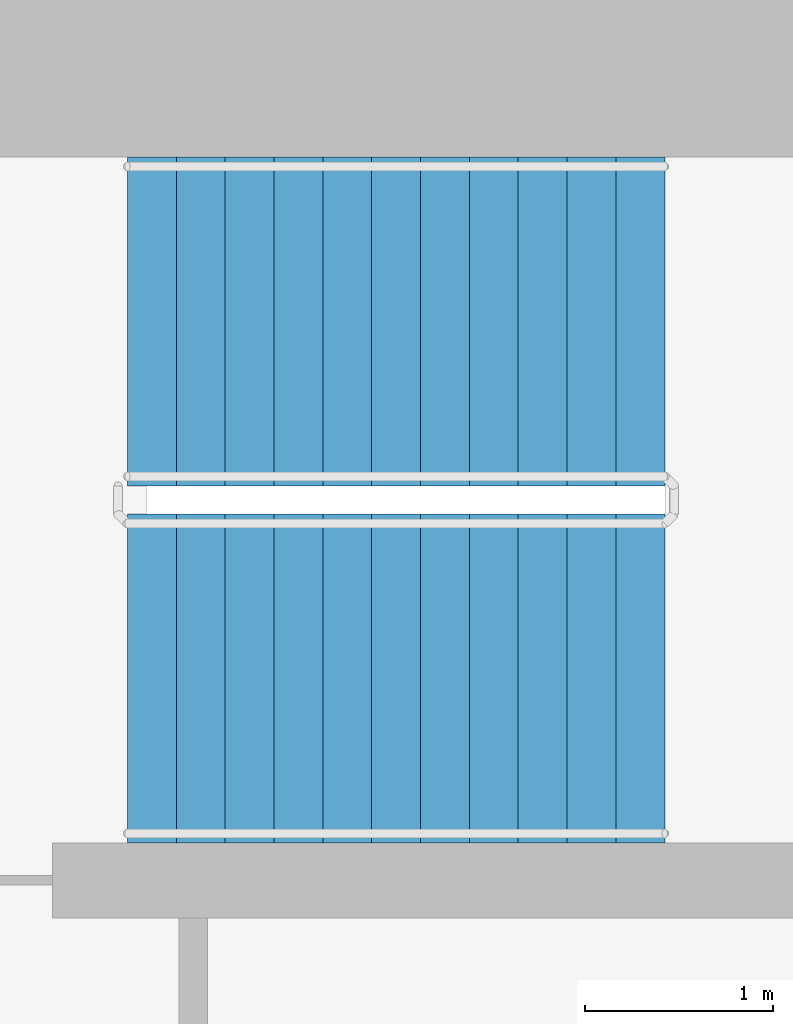
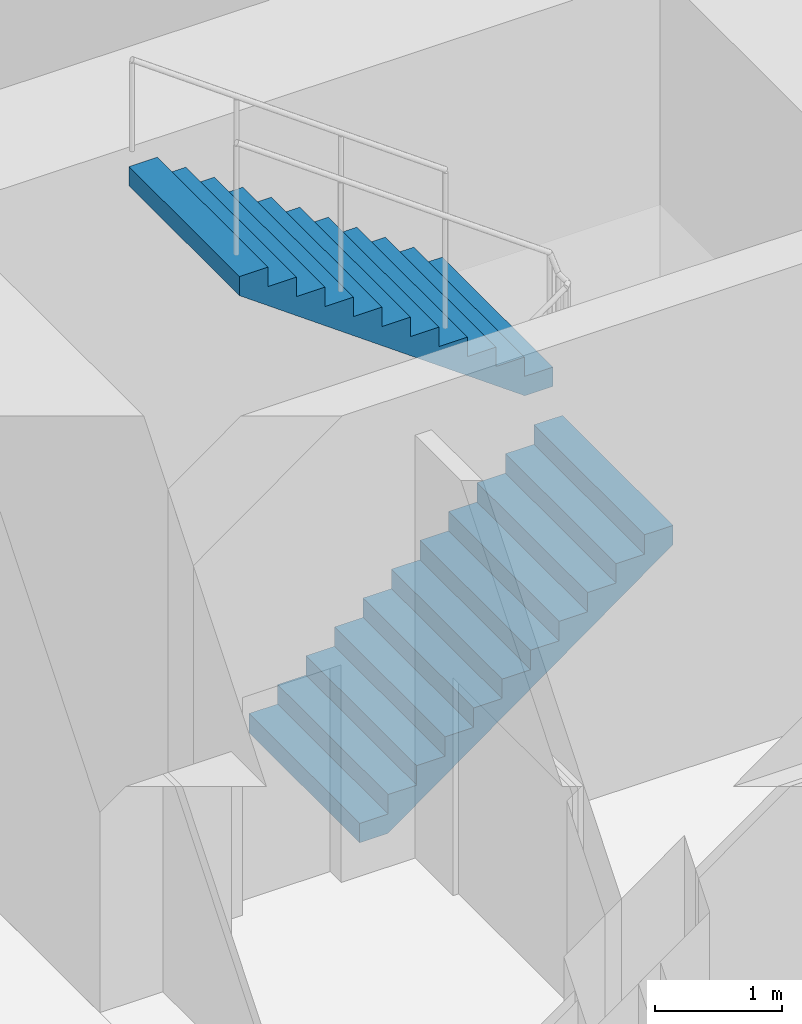
# One storey, part 32 of 49: 2 stair flights, 1 element without a shape of its own.
"""IFC4 building model written with IfcOpenShell, lengths in metres."""

from ifc_helpers import new_model, si_unit, direction, frame, origin, place, context, subcontext, project, spatial, faceted_brep, material, type_object, element, aggregate, save


model = new_model("IFC4")

# Units and contexts
model_context = context("Model", 3, precision=1e-05, world=origin(), true_north=direction((0.0, 1.0)))
body_context = subcontext(model_context, "Body", "Model", "MODEL_VIEW")
ifc_project = project(units=[si_unit("LENGTHUNIT", "METRE"), si_unit("AREAUNIT", "SQUARE_METRE"), si_unit("VOLUMEUNIT", "CUBIC_METRE"), si_unit("PLANEANGLEUNIT", "RADIAN"), si_unit("MASSUNIT", "GRAM", prefix="KILO")], contexts=[model_context])

# Site, building, storey
site_placement = place(None, origin())
site = spatial("IfcSite", under=ifc_project, at=site_placement, CompositionType="ELEMENT")
building_placement = place(site_placement, origin())
building = spatial("IfcBuilding", under=site, at=building_placement, Name="Ipe Terrace Towers", CompositionType="ELEMENT")
storey_placement = place(building_placement, frame((0.0, 0.0, 11.0)))
storey = spatial("IfcBuildingStorey", under=building, at=storey_placement, Name="L02", CompositionType="ELEMENT", Elevation=11.0)

# Stair, stair flights
ifc_material_1 = material(Name="Concrete C30/37", Category="concrete")
stair_type = type_object("IfcStairType", Name="Protected exit stair", PredefinedType="HALF_TURN_STAIR", material=ifc_material_1)
stair_placement = place(storey_placement, origin())
stair = element("IfcStair", 1, at=stair_placement, inside=storey, type_object=stair_type, Name="L02 Exit stair T1-C1", PredefinedType="HALF_TURN_STAIR")
ifc_material_2 = material(Name="Concrete C30/37", Category="concrete")
stair_flight_type = type_object("IfcStairFlightType", Name="Exit stair flight 1750", PredefinedType="STRAIGHT", material=ifc_material_2)
stair_flight_1_placement = place(storey_placement, frame((-26.300048828125, 2.77490234375, 0.0), z_axis=(0.0, 0.0, 1.0), x_axis=(1.0, 0.0, 0.0)))
stair_flight_1 = element("IfcStairFlight", 2, at=stair_flight_1_placement, type_object=stair_flight_type, Name="T1-ST1 flight 1", NumberOfRisers=12, NumberOfTreads=11, PredefinedType="STRAIGHT", RiserHeight=0.1875, TreadLength=0.26, context=body_context, shape_type="Brep", body=[
    faceted_brep([(0.25634765625, -0.875, 0.0), (2.860107421875, -0.875, 1.877685546875), (2.860107421875, -0.875, 2.0625), (2.60009765625, -0.875, 2.0625), (2.60009765625, -0.875, 1.875), (2.340087890625, -0.875, 1.875), (2.340087890625, -0.875, 1.6875), (2.080078125, -0.875, 1.6875), (2.080078125, -0.875, 1.5), (1.820068359375, -0.875, 1.5), (1.820068359375, -0.875, 1.3125), (1.56005859375, -0.875, 1.3125), (1.56005859375, -0.875, 1.125), (1.300048828125, -0.875, 1.125), (1.300048828125, -0.875, 0.9375), (1.0400390625, -0.875, 0.9375), (1.0400390625, -0.875, 0.75), (0.780029296875, -0.875, 0.75), (0.780029296875, -0.875, 0.5625), (0.52001953125, -0.875, 0.5625), (0.52001953125, -0.875, 0.375), (0.260009765625, -0.875, 0.375), (0.260009765625, -0.875, 0.1875), (0.0, -0.875, 0.1875), (0.0, -0.875, 0.0), (0.0, 0.875, 0.0), (0.0, 0.875, 0.1875), (0.260009765625, 0.875, 0.1875), (0.260009765625, 0.875, 0.375), (0.52001953125, 0.875, 0.375), (0.52001953125, 0.875, 0.5625), (0.780029296875, 0.875, 0.5625), (0.780029296875, 0.875, 0.75), (1.0400390625, 0.875, 0.75), (1.0400390625, 0.875, 0.9375), (1.300048828125, 0.875, 0.9375), (1.300048828125, 0.875, 1.125), (1.56005859375, 0.875, 1.125), (1.56005859375, 0.875, 1.3125), (1.820068359375, 0.875, 1.3125), (1.820068359375, 0.875, 1.5), (2.080078125, 0.875, 1.5), (2.080078125, 0.875, 1.6875), (2.340087890625, 0.875, 1.6875), (2.340087890625, 0.875, 1.875), (2.60009765625, 0.875, 1.875), (2.60009765625, 0.875, 2.0625), (2.860107421875, 0.875, 2.0625), (2.860107421875, 0.875, 1.877685546875), (0.25634765625, 0.875, 0.0), (0.0, -0.300048828125, 0.1875), (0.0, -0.1201171875, 0.1875), (0.0, -0.06005859375, 0.1875), (0.0, -0.030029296875, 0.1875), (0.0, -0.010009765625, 0.1875), (0.0, 0.0, 0.1875), (0.0, 0.010009765625, 0.1875), (0.0, 0.030029296875, 0.1875), (0.0, 0.06005859375, 0.1875), (0.0, 0.1201171875, 0.1875), (0.0, 0.300048828125, 0.1875), (0.0, 0.300048828125, 0.0), (0.0, 0.1201171875, 0.0), (0.0, 0.06005859375, 0.0), (0.0, 0.030029296875, 0.0), (0.0, 0.010009765625, 0.0), (0.0, 0.0, 0.0), (0.0, -0.010009765625, 0.0), (0.0, -0.030029296875, 0.0), (0.0, -0.06005859375, 0.0), (0.0, -0.1201171875, 0.0), (0.0, -0.300048828125, 0.0), (0.260009765625, -0.300048828125, 0.1875), (0.260009765625, -0.1201171875, 0.1875), (0.260009765625, -0.06005859375, 0.1875), (0.260009765625, -0.030029296875, 0.1875), (0.260009765625, -0.010009765625, 0.1875), (0.260009765625, 0.0, 0.1875), (0.260009765625, 0.010009765625, 0.1875), (0.260009765625, 0.030029296875, 0.1875), (0.260009765625, 0.06005859375, 0.1875), (0.260009765625, 0.1201171875, 0.1875), (0.260009765625, 0.300048828125, 0.1875), (0.260009765625, -0.300048828125, 0.375), (0.260009765625, -0.1201171875, 0.375), (0.260009765625, -0.06005859375, 0.375), (0.260009765625, -0.030029296875, 0.375), (0.260009765625, -0.010009765625, 0.375), (0.260009765625, 0.0, 0.375), (0.260009765625, 0.010009765625, 0.375), (0.260009765625, 0.030029296875, 0.375), (0.260009765625, 0.06005859375, 0.375), (0.260009765625, 0.1201171875, 0.375), (0.260009765625, 0.300048828125, 0.375), (0.52001953125, -0.300048828125, 0.375), (0.52001953125, -0.1201171875, 0.375), (0.52001953125, -0.06005859375, 0.375), (0.52001953125, -0.030029296875, 0.375), (0.52001953125, -0.010009765625, 0.375), (0.52001953125, 0.0, 0.375), (0.52001953125, 0.010009765625, 0.375), (0.52001953125, 0.030029296875, 0.375), (0.52001953125, 0.06005859375, 0.375), (0.52001953125, 0.1201171875, 0.375), (0.52001953125, 0.300048828125, 0.375), (0.52001953125, -0.300048828125, 0.5625), (0.52001953125, -0.1201171875, 0.5625), (0.52001953125, -0.06005859375, 0.5625), (0.52001953125, -0.030029296875, 0.5625), (0.52001953125, -0.010009765625, 0.5625), (0.52001953125, 0.0, 0.5625), (0.52001953125, 0.010009765625, 0.5625), (0.52001953125, 0.030029296875, 0.5625), (0.52001953125, 0.06005859375, 0.5625), (0.52001953125, 0.1201171875, 0.5625), (0.52001953125, 0.300048828125, 0.5625), (0.780029296875, -0.300048828125, 0.5625), (0.780029296875, -0.1201171875, 0.5625), (0.780029296875, -0.06005859375, 0.5625), (0.780029296875, -0.030029296875, 0.5625), (0.780029296875, -0.010009765625, 0.5625), (0.780029296875, 0.0, 0.5625), (0.780029296875, 0.010009765625, 0.5625), (0.780029296875, 0.030029296875, 0.5625), (0.780029296875, 0.06005859375, 0.5625), (0.780029296875, 0.1201171875, 0.5625), (0.780029296875, 0.300048828125, 0.5625), (0.780029296875, -0.300048828125, 0.75), (0.780029296875, -0.1201171875, 0.75), (0.780029296875, -0.06005859375, 0.75), (0.780029296875, -0.030029296875, 0.75), (0.780029296875, -0.010009765625, 0.75), (0.780029296875, 0.0, 0.75), (0.780029296875, 0.010009765625, 0.75), (0.780029296875, 0.030029296875, 0.75), (0.780029296875, 0.06005859375, 0.75), (0.780029296875, 0.1201171875, 0.75), (0.780029296875, 0.300048828125, 0.75), (1.0400390625, -0.300048828125, 0.75), (1.0400390625, -0.1201171875, 0.75), (1.0400390625, -0.06005859375, 0.75), (1.0400390625, -0.030029296875, 0.75), (1.0400390625, -0.010009765625, 0.75), (1.0400390625, 0.0, 0.75), (1.0400390625, 0.010009765625, 0.75), (1.0400390625, 0.030029296875, 0.75), (1.0400390625, 0.06005859375, 0.75), (1.0400390625, 0.1201171875, 0.75), (1.0400390625, 0.300048828125, 0.75), (1.0400390625, -0.300048828125, 0.9375), (1.0400390625, -0.1201171875, 0.9375), (1.0400390625, -0.06005859375, 0.9375), (1.0400390625, -0.030029296875, 0.9375), (1.0400390625, -0.010009765625, 0.9375), (1.0400390625, 0.0, 0.9375), (1.0400390625, 0.010009765625, 0.9375), (1.0400390625, 0.030029296875, 0.9375), (1.0400390625, 0.06005859375, 0.9375), (1.0400390625, 0.1201171875, 0.9375), (1.0400390625, 0.300048828125, 0.9375), (1.300048828125, -0.300048828125, 0.9375), (1.300048828125, -0.1201171875, 0.9375), (1.300048828125, -0.06005859375, 0.9375), (1.300048828125, -0.030029296875, 0.9375), (1.300048828125, -0.010009765625, 0.9375), (1.300048828125, 0.0, 0.9375), (1.300048828125, 0.010009765625, 0.9375), (1.300048828125, 0.030029296875, 0.9375), (1.300048828125, 0.06005859375, 0.9375), (1.300048828125, 0.1201171875, 0.9375), (1.300048828125, 0.300048828125, 0.9375), (1.300048828125, -0.300048828125, 1.125), (1.300048828125, -0.1201171875, 1.125), (1.300048828125, -0.06005859375, 1.125), (1.300048828125, -0.030029296875, 1.125), (1.300048828125, -0.010009765625, 1.125), (1.300048828125, 0.0, 1.125), (1.300048828125, 0.010009765625, 1.125), (1.300048828125, 0.030029296875, 1.125), (1.300048828125, 0.06005859375, 1.125), (1.300048828125, 0.1201171875, 1.125), (1.300048828125, 0.300048828125, 1.125), (1.56005859375, -0.300048828125, 1.125), (1.56005859375, -0.1201171875, 1.125), (1.56005859375, -0.06005859375, 1.125), (1.56005859375, -0.030029296875, 1.125), (1.56005859375, -0.010009765625, 1.125), (1.56005859375, 0.0, 1.125), (1.56005859375, 0.010009765625, 1.125), (1.56005859375, 0.030029296875, 1.125), (1.56005859375, 0.06005859375, 1.125), (1.56005859375, 0.1201171875, 1.125), (1.56005859375, 0.300048828125, 1.125), (1.56005859375, -0.300048828125, 1.3125), (1.56005859375, -0.1201171875, 1.3125), (1.56005859375, -0.06005859375, 1.3125), (1.56005859375, -0.030029296875, 1.3125), (1.56005859375, -0.010009765625, 1.3125), (1.56005859375, 0.0, 1.3125), (1.56005859375, 0.010009765625, 1.3125), (1.56005859375, 0.030029296875, 1.3125), (1.56005859375, 0.06005859375, 1.3125), (1.56005859375, 0.1201171875, 1.3125), (1.56005859375, 0.300048828125, 1.3125), (1.820068359375, -0.300048828125, 1.3125), (1.820068359375, -0.1201171875, 1.3125), (1.820068359375, -0.06005859375, 1.3125), (1.820068359375, -0.030029296875, 1.3125), (1.820068359375, -0.010009765625, 1.3125), (1.820068359375, 0.0, 1.3125), (1.820068359375, 0.010009765625, 1.3125), (1.820068359375, 0.030029296875, 1.3125), (1.820068359375, 0.06005859375, 1.3125), (1.820068359375, 0.1201171875, 1.3125), (1.820068359375, 0.300048828125, 1.3125), (1.820068359375, -0.300048828125, 1.5), (1.820068359375, -0.1201171875, 1.5), (1.820068359375, -0.06005859375, 1.5), (1.820068359375, -0.030029296875, 1.5), (1.820068359375, -0.010009765625, 1.5), (1.820068359375, 0.0, 1.5), (1.820068359375, 0.010009765625, 1.5), (1.820068359375, 0.030029296875, 1.5), (1.820068359375, 0.06005859375, 1.5), (1.820068359375, 0.1201171875, 1.5), (1.820068359375, 0.300048828125, 1.5), (2.080078125, -0.300048828125, 1.5), (2.080078125, -0.1201171875, 1.5), (2.080078125, -0.06005859375, 1.5), (2.080078125, -0.030029296875, 1.5), (2.080078125, -0.010009765625, 1.5), (2.080078125, 0.0, 1.5), (2.080078125, 0.010009765625, 1.5), (2.080078125, 0.030029296875, 1.5), (2.080078125, 0.06005859375, 1.5), (2.080078125, 0.1201171875, 1.5), (2.080078125, 0.300048828125, 1.5), (2.080078125, -0.300048828125, 1.6875), (2.080078125, -0.1201171875, 1.6875), (2.080078125, -0.06005859375, 1.6875), (2.080078125, -0.030029296875, 1.6875), (2.080078125, -0.010009765625, 1.6875), (2.080078125, 0.0, 1.6875), (2.080078125, 0.010009765625, 1.6875), (2.080078125, 0.030029296875, 1.6875), (2.080078125, 0.06005859375, 1.6875), (2.080078125, 0.1201171875, 1.6875), (2.080078125, 0.300048828125, 1.6875), (2.340087890625, -0.300048828125, 1.6875), (2.340087890625, -0.1201171875, 1.6875), (2.340087890625, -0.06005859375, 1.6875), (2.340087890625, -0.030029296875, 1.6875), (2.340087890625, -0.010009765625, 1.6875), (2.340087890625, 0.0, 1.6875), (2.340087890625, 0.010009765625, 1.6875), (2.340087890625, 0.030029296875, 1.6875), (2.340087890625, 0.06005859375, 1.6875), (2.340087890625, 0.1201171875, 1.6875), (2.340087890625, 0.300048828125, 1.6875), (2.340087890625, -0.300048828125, 1.875), (2.340087890625, -0.1201171875, 1.875), (2.340087890625, -0.06005859375, 1.875), (2.340087890625, -0.030029296875, 1.875), (2.340087890625, -0.010009765625, 1.875), (2.340087890625, 0.0, 1.875), (2.340087890625, 0.010009765625, 1.875), (2.340087890625, 0.030029296875, 1.875), (2.340087890625, 0.06005859375, 1.875), (2.340087890625, 0.1201171875, 1.875), (2.340087890625, 0.300048828125, 1.875), (2.60009765625, -0.300048828125, 1.875), (2.60009765625, -0.1201171875, 1.875), (2.60009765625, -0.06005859375, 1.875), (2.60009765625, -0.030029296875, 1.875), (2.60009765625, -0.010009765625, 1.875), (2.60009765625, 0.0, 1.875), (2.60009765625, 0.010009765625, 1.875), (2.60009765625, 0.030029296875, 1.875), (2.60009765625, 0.06005859375, 1.875), (2.60009765625, 0.1201171875, 1.875), (2.60009765625, 0.300048828125, 1.875), (2.60009765625, -0.300048828125, 2.0625), (2.60009765625, -0.1201171875, 2.0625), (2.60009765625, -0.06005859375, 2.0625), (2.60009765625, -0.030029296875, 2.0625), (2.60009765625, -0.010009765625, 2.0625), (2.60009765625, 0.0, 2.0625), (2.60009765625, 0.010009765625, 2.0625), (2.60009765625, 0.030029296875, 2.0625), (2.60009765625, 0.06005859375, 2.0625), (2.60009765625, 0.1201171875, 2.0625), (2.60009765625, 0.300048828125, 2.0625), (2.860107421875, -0.300048828125, 2.0625), (2.860107421875, -0.1201171875, 2.0625), (2.860107421875, -0.06005859375, 2.0625), (2.860107421875, -0.030029296875, 2.0625), (2.860107421875, -0.010009765625, 2.0625), (2.860107421875, 0.0, 2.0625), (2.860107421875, 0.010009765625, 2.0625), (2.860107421875, 0.030029296875, 2.0625), (2.860107421875, 0.06005859375, 2.0625), (2.860107421875, 0.1201171875, 2.0625), (2.860107421875, 0.300048828125, 2.0625), (2.860107421875, -0.300048828125, 1.877685546875), (2.860107421875, -0.1201171875, 1.877685546875), (2.860107421875, -0.06005859375, 1.877685546875), (2.860107421875, -0.030029296875, 1.877685546875), (2.860107421875, -0.010009765625, 1.877685546875), (2.860107421875, 0.0, 1.877685546875), (2.860107421875, 0.010009765625, 1.877685546875), (2.860107421875, 0.030029296875, 1.877685546875), (2.860107421875, 0.06005859375, 1.877685546875), (2.860107421875, 0.1201171875, 1.877685546875), (2.860107421875, 0.300048828125, 1.877685546875), (0.25634765625, -0.300048828125, 0.0), (0.25634765625, -0.1201171875, 0.0), (0.25634765625, -0.06005859375, 0.0), (0.25634765625, -0.030029296875, 0.0), (0.25634765625, -0.010009765625, 0.0), (0.25634765625, 0.0, 0.0), (0.25634765625, 0.010009765625, 0.0), (0.25634765625, 0.030029296875, 0.0), (0.25634765625, 0.06005859375, 0.0), (0.25634765625, 0.1201171875, 0.0), (0.25634765625, 0.300048828125, 0.0)], [[[0, 1, 2, 3, 4, 5, 6, 7, 8, 9, 10, 11, 12, 13, 14, 15, 16, 17, 18, 19, 20, 21, 22, 23, 24]], [[25, 26, 27, 28, 29, 30, 31, 32, 33, 34, 35, 36, 37, 38, 39, 40, 41, 42, 43, 44, 45, 46, 47, 48, 49]], [[23, 50, 51, 52, 53, 54, 55, 56, 57, 58, 59, 60, 26, 25, 61, 62, 63, 64, 65, 66, 67, 68, 69, 70, 71, 24]], [[22, 72, 73, 74, 75, 76, 77, 78, 79, 80, 81, 82, 27, 26, 60, 59, 58, 57, 56, 55, 54, 53, 52, 51, 50, 23]], [[21, 83, 84, 85, 86, 87, 88, 89, 90, 91, 92, 93, 28, 27, 82, 81, 80, 79, 78, 77, 76, 75, 74, 73, 72, 22]], [[20, 94, 95, 96, 97, 98, 99, 100, 101, 102, 103, 104, 29, 28, 93, 92, 91, 90, 89, 88, 87, 86, 85, 84, 83, 21]], [[19, 105, 106, 107, 108, 109, 110, 111, 112, 113, 114, 115, 30, 29, 104, 103, 102, 101, 100, 99, 98, 97, 96, 95, 94, 20]], [[18, 116, 117, 118, 119, 120, 121, 122, 123, 124, 125, 126, 31, 30, 115, 114, 113, 112, 111, 110, 109, 108, 107, 106, 105, 19]], [[17, 127, 128, 129, 130, 131, 132, 133, 134, 135, 136, 137, 32, 31, 126, 125, 124, 123, 122, 121, 120, 119, 118, 117, 116, 18]], [[16, 138, 139, 140, 141, 142, 143, 144, 145, 146, 147, 148, 33, 32, 137, 136, 135, 134, 133, 132, 131, 130, 129, 128, 127, 17]], [[15, 149, 150, 151, 152, 153, 154, 155, 156, 157, 158, 159, 34, 33, 148, 147, 146, 145, 144, 143, 142, 141, 140, 139, 138, 16]], [[14, 160, 161, 162, 163, 164, 165, 166, 167, 168, 169, 170, 35, 34, 159, 158, 157, 156, 155, 154, 153, 152, 151, 150, 149, 15]], [[13, 171, 172, 173, 174, 175, 176, 177, 178, 179, 180, 181, 36, 35, 170, 169, 168, 167, 166, 165, 164, 163, 162, 161, 160, 14]], [[12, 182, 183, 184, 185, 186, 187, 188, 189, 190, 191, 192, 37, 36, 181, 180, 179, 178, 177, 176, 175, 174, 173, 172, 171, 13]], [[11, 193, 194, 195, 196, 197, 198, 199, 200, 201, 202, 203, 38, 37, 192, 191, 190, 189, 188, 187, 186, 185, 184, 183, 182, 12]], [[10, 204, 205, 206, 207, 208, 209, 210, 211, 212, 213, 214, 39, 38, 203, 202, 201, 200, 199, 198, 197, 196, 195, 194, 193, 11]], [[9, 215, 216, 217, 218, 219, 220, 221, 222, 223, 224, 225, 40, 39, 214, 213, 212, 211, 210, 209, 208, 207, 206, 205, 204, 10]], [[8, 226, 227, 228, 229, 230, 231, 232, 233, 234, 235, 236, 41, 40, 225, 224, 223, 222, 221, 220, 219, 218, 217, 216, 215, 9]], [[7, 237, 238, 239, 240, 241, 242, 243, 244, 245, 246, 247, 42, 41, 236, 235, 234, 233, 232, 231, 230, 229, 228, 227, 226, 8]], [[6, 248, 249, 250, 251, 252, 253, 254, 255, 256, 257, 258, 43, 42, 247, 246, 245, 244, 243, 242, 241, 240, 239, 238, 237, 7]], [[5, 259, 260, 261, 262, 263, 264, 265, 266, 267, 268, 269, 44, 43, 258, 257, 256, 255, 254, 253, 252, 251, 250, 249, 248, 6]], [[4, 270, 271, 272, 273, 274, 275, 276, 277, 278, 279, 280, 45, 44, 269, 268, 267, 266, 265, 264, 263, 262, 261, 260, 259, 5]], [[3, 281, 282, 283, 284, 285, 286, 287, 288, 289, 290, 291, 46, 45, 280, 279, 278, 277, 276, 275, 274, 273, 272, 271, 270, 4]], [[2, 292, 293, 294, 295, 296, 297, 298, 299, 300, 301, 302, 47, 46, 291, 290, 289, 288, 287, 286, 285, 284, 283, 282, 281, 3]], [[1, 303, 304, 305, 306, 307, 308, 309, 310, 311, 312, 313, 48, 47, 302, 301, 300, 299, 298, 297, 296, 295, 294, 293, 292, 2]], [[0, 314, 315, 316, 317, 318, 319, 320, 321, 322, 323, 324, 49, 48, 313, 312, 311, 310, 309, 308, 307, 306, 305, 304, 303, 1]], [[24, 71, 70, 69, 68, 67, 66, 65, 64, 63, 62, 61, 25, 49, 324, 323, 322, 321, 320, 319, 318, 317, 316, 315, 314, 0]]]),
])
stair_flight_2_placement = place(storey_placement, frame((-23.43994140625, 4.675048828125, 2.25), z_axis=(0.0, 0.0, 1.0), x_axis=(-1.0, 0.0, 0.0)))
stair_flight_2 = element("IfcStairFlight", 3, at=stair_flight_2_placement, type_object=stair_flight_type, Name="T1-ST1 flight 2", NumberOfRisers=12, NumberOfTreads=11, PredefinedType="STRAIGHT", RiserHeight=0.1875, TreadLength=0.26, context=body_context, shape_type="Brep", body=[
    faceted_brep([(0.25634765625, -0.875, 0.0), (2.860107421875, -0.875, 1.877685546875), (2.860107421875, -0.875, 2.0625), (2.60009765625, -0.875, 2.0625), (2.60009765625, -0.875, 1.875), (2.340087890625, -0.875, 1.875), (2.340087890625, -0.875, 1.6875), (2.080078125, -0.875, 1.6875), (2.080078125, -0.875, 1.5), (1.820068359375, -0.875, 1.5), (1.820068359375, -0.875, 1.3125), (1.56005859375, -0.875, 1.3125), (1.56005859375, -0.875, 1.125), (1.300048828125, -0.875, 1.125), (1.300048828125, -0.875, 0.9375), (1.0400390625, -0.875, 0.9375), (1.0400390625, -0.875, 0.75), (0.780029296875, -0.875, 0.75), (0.780029296875, -0.875, 0.5625), (0.52001953125, -0.875, 0.5625), (0.52001953125, -0.875, 0.375), (0.260009765625, -0.875, 0.375), (0.260009765625, -0.875, 0.1875), (0.0, -0.875, 0.1875), (0.0, -0.875, 0.0), (0.0, 0.875, 0.0), (0.0, 0.875, 0.1875), (0.260009765625, 0.875, 0.1875), (0.260009765625, 0.875, 0.375), (0.52001953125, 0.875, 0.375), (0.52001953125, 0.875, 0.5625), (0.780029296875, 0.875, 0.5625), (0.780029296875, 0.875, 0.75), (1.0400390625, 0.875, 0.75), (1.0400390625, 0.875, 0.9375), (1.300048828125, 0.875, 0.9375), (1.300048828125, 0.875, 1.125), (1.56005859375, 0.875, 1.125), (1.56005859375, 0.875, 1.3125), (1.820068359375, 0.875, 1.3125), (1.820068359375, 0.875, 1.5), (2.080078125, 0.875, 1.5), (2.080078125, 0.875, 1.6875), (2.340087890625, 0.875, 1.6875), (2.340087890625, 0.875, 1.875), (2.60009765625, 0.875, 1.875), (2.60009765625, 0.875, 2.0625), (2.860107421875, 0.875, 2.0625), (2.860107421875, 0.875, 1.877685546875), (0.25634765625, 0.875, 0.0), (0.0, -0.300048828125, 0.1875), (0.0, -0.1201171875, 0.1875), (0.0, -0.06005859375, 0.1875), (0.0, -0.030029296875, 0.1875), (0.0, -0.010009765625, 0.1875), (0.0, 0.0, 0.1875), (0.0, 0.010009765625, 0.1875), (0.0, 0.030029296875, 0.1875), (0.0, 0.06005859375, 0.1875), (0.0, 0.1201171875, 0.1875), (0.0, 0.300048828125, 0.1875), (0.0, 0.300048828125, 0.0), (0.0, 0.1201171875, 0.0), (0.0, 0.06005859375, 0.0), (0.0, 0.030029296875, 0.0), (0.0, 0.010009765625, 0.0), (0.0, 0.0, 0.0), (0.0, -0.010009765625, 0.0), (0.0, -0.030029296875, 0.0), (0.0, -0.06005859375, 0.0), (0.0, -0.1201171875, 0.0), (0.0, -0.300048828125, 0.0), (0.260009765625, -0.300048828125, 0.1875), (0.260009765625, -0.1201171875, 0.1875), (0.260009765625, -0.06005859375, 0.1875), (0.260009765625, -0.030029296875, 0.1875), (0.260009765625, -0.010009765625, 0.1875), (0.260009765625, 0.0, 0.1875), (0.260009765625, 0.010009765625, 0.1875), (0.260009765625, 0.030029296875, 0.1875), (0.260009765625, 0.06005859375, 0.1875), (0.260009765625, 0.1201171875, 0.1875), (0.260009765625, 0.300048828125, 0.1875), (0.260009765625, -0.300048828125, 0.375), (0.260009765625, -0.1201171875, 0.375), (0.260009765625, -0.06005859375, 0.375), (0.260009765625, -0.030029296875, 0.375), (0.260009765625, -0.010009765625, 0.375), (0.260009765625, 0.0, 0.375), (0.260009765625, 0.010009765625, 0.375), (0.260009765625, 0.030029296875, 0.375), (0.260009765625, 0.06005859375, 0.375), (0.260009765625, 0.1201171875, 0.375), (0.260009765625, 0.300048828125, 0.375), (0.52001953125, -0.300048828125, 0.375), (0.52001953125, -0.1201171875, 0.375), (0.52001953125, -0.06005859375, 0.375), (0.52001953125, -0.030029296875, 0.375), (0.52001953125, -0.010009765625, 0.375), (0.52001953125, 0.0, 0.375), (0.52001953125, 0.010009765625, 0.375), (0.52001953125, 0.030029296875, 0.375), (0.52001953125, 0.06005859375, 0.375), (0.52001953125, 0.1201171875, 0.375), (0.52001953125, 0.300048828125, 0.375), (0.52001953125, -0.300048828125, 0.5625), (0.52001953125, -0.1201171875, 0.5625), (0.52001953125, -0.06005859375, 0.5625), (0.52001953125, -0.030029296875, 0.5625), (0.52001953125, -0.010009765625, 0.5625), (0.52001953125, 0.0, 0.5625), (0.52001953125, 0.010009765625, 0.5625), (0.52001953125, 0.030029296875, 0.5625), (0.52001953125, 0.06005859375, 0.5625), (0.52001953125, 0.1201171875, 0.5625), (0.52001953125, 0.300048828125, 0.5625), (0.780029296875, -0.300048828125, 0.5625), (0.780029296875, -0.1201171875, 0.5625), (0.780029296875, -0.06005859375, 0.5625), (0.780029296875, -0.030029296875, 0.5625), (0.780029296875, -0.010009765625, 0.5625), (0.780029296875, 0.0, 0.5625), (0.780029296875, 0.010009765625, 0.5625), (0.780029296875, 0.030029296875, 0.5625), (0.780029296875, 0.06005859375, 0.5625), (0.780029296875, 0.1201171875, 0.5625), (0.780029296875, 0.300048828125, 0.5625), (0.780029296875, -0.300048828125, 0.75), (0.780029296875, -0.1201171875, 0.75), (0.780029296875, -0.06005859375, 0.75), (0.780029296875, -0.030029296875, 0.75), (0.780029296875, -0.010009765625, 0.75), (0.780029296875, 0.0, 0.75), (0.780029296875, 0.010009765625, 0.75), (0.780029296875, 0.030029296875, 0.75), (0.780029296875, 0.06005859375, 0.75), (0.780029296875, 0.1201171875, 0.75), (0.780029296875, 0.300048828125, 0.75), (1.0400390625, -0.300048828125, 0.75), (1.0400390625, -0.1201171875, 0.75), (1.0400390625, -0.06005859375, 0.75), (1.0400390625, -0.030029296875, 0.75), (1.0400390625, -0.010009765625, 0.75), (1.0400390625, 0.0, 0.75), (1.0400390625, 0.010009765625, 0.75), (1.0400390625, 0.030029296875, 0.75), (1.0400390625, 0.06005859375, 0.75), (1.0400390625, 0.1201171875, 0.75), (1.0400390625, 0.300048828125, 0.75), (1.0400390625, -0.300048828125, 0.9375), (1.0400390625, -0.1201171875, 0.9375), (1.0400390625, -0.06005859375, 0.9375), (1.0400390625, -0.030029296875, 0.9375), (1.0400390625, -0.010009765625, 0.9375), (1.0400390625, 0.0, 0.9375), (1.0400390625, 0.010009765625, 0.9375), (1.0400390625, 0.030029296875, 0.9375), (1.0400390625, 0.06005859375, 0.9375), (1.0400390625, 0.1201171875, 0.9375), (1.0400390625, 0.300048828125, 0.9375), (1.300048828125, -0.300048828125, 0.9375), (1.300048828125, -0.1201171875, 0.9375), (1.300048828125, -0.06005859375, 0.9375), (1.300048828125, -0.030029296875, 0.9375), (1.300048828125, -0.010009765625, 0.9375), (1.300048828125, 0.0, 0.9375), (1.300048828125, 0.010009765625, 0.9375), (1.300048828125, 0.030029296875, 0.9375), (1.300048828125, 0.06005859375, 0.9375), (1.300048828125, 0.1201171875, 0.9375), (1.300048828125, 0.300048828125, 0.9375), (1.300048828125, -0.300048828125, 1.125), (1.300048828125, -0.1201171875, 1.125), (1.300048828125, -0.06005859375, 1.125), (1.300048828125, -0.030029296875, 1.125), (1.300048828125, -0.010009765625, 1.125), (1.300048828125, 0.0, 1.125), (1.300048828125, 0.010009765625, 1.125), (1.300048828125, 0.030029296875, 1.125), (1.300048828125, 0.06005859375, 1.125), (1.300048828125, 0.1201171875, 1.125), (1.300048828125, 0.300048828125, 1.125), (1.56005859375, -0.300048828125, 1.125), (1.56005859375, -0.1201171875, 1.125), (1.56005859375, -0.06005859375, 1.125), (1.56005859375, -0.030029296875, 1.125), (1.56005859375, -0.010009765625, 1.125), (1.56005859375, 0.0, 1.125), (1.56005859375, 0.010009765625, 1.125), (1.56005859375, 0.030029296875, 1.125), (1.56005859375, 0.06005859375, 1.125), (1.56005859375, 0.1201171875, 1.125), (1.56005859375, 0.300048828125, 1.125), (1.56005859375, -0.300048828125, 1.3125), (1.56005859375, -0.1201171875, 1.3125), (1.56005859375, -0.06005859375, 1.3125), (1.56005859375, -0.030029296875, 1.3125), (1.56005859375, -0.010009765625, 1.3125), (1.56005859375, 0.0, 1.3125), (1.56005859375, 0.010009765625, 1.3125), (1.56005859375, 0.030029296875, 1.3125), (1.56005859375, 0.06005859375, 1.3125), (1.56005859375, 0.1201171875, 1.3125), (1.56005859375, 0.300048828125, 1.3125), (1.820068359375, -0.300048828125, 1.3125), (1.820068359375, -0.1201171875, 1.3125), (1.820068359375, -0.06005859375, 1.3125), (1.820068359375, -0.030029296875, 1.3125), (1.820068359375, -0.010009765625, 1.3125), (1.820068359375, 0.0, 1.3125), (1.820068359375, 0.010009765625, 1.3125), (1.820068359375, 0.030029296875, 1.3125), (1.820068359375, 0.06005859375, 1.3125), (1.820068359375, 0.1201171875, 1.3125), (1.820068359375, 0.300048828125, 1.3125), (1.820068359375, -0.300048828125, 1.5), (1.820068359375, -0.1201171875, 1.5), (1.820068359375, -0.06005859375, 1.5), (1.820068359375, -0.030029296875, 1.5), (1.820068359375, -0.010009765625, 1.5), (1.820068359375, 0.0, 1.5), (1.820068359375, 0.010009765625, 1.5), (1.820068359375, 0.030029296875, 1.5), (1.820068359375, 0.06005859375, 1.5), (1.820068359375, 0.1201171875, 1.5), (1.820068359375, 0.300048828125, 1.5), (2.080078125, -0.300048828125, 1.5), (2.080078125, -0.1201171875, 1.5), (2.080078125, -0.06005859375, 1.5), (2.080078125, -0.030029296875, 1.5), (2.080078125, -0.010009765625, 1.5), (2.080078125, 0.0, 1.5), (2.080078125, 0.010009765625, 1.5), (2.080078125, 0.030029296875, 1.5), (2.080078125, 0.06005859375, 1.5), (2.080078125, 0.1201171875, 1.5), (2.080078125, 0.300048828125, 1.5), (2.080078125, -0.300048828125, 1.6875), (2.080078125, -0.1201171875, 1.6875), (2.080078125, -0.06005859375, 1.6875), (2.080078125, -0.030029296875, 1.6875), (2.080078125, -0.010009765625, 1.6875), (2.080078125, 0.0, 1.6875), (2.080078125, 0.010009765625, 1.6875), (2.080078125, 0.030029296875, 1.6875), (2.080078125, 0.06005859375, 1.6875), (2.080078125, 0.1201171875, 1.6875), (2.080078125, 0.300048828125, 1.6875), (2.340087890625, -0.300048828125, 1.6875), (2.340087890625, -0.1201171875, 1.6875), (2.340087890625, -0.06005859375, 1.6875), (2.340087890625, -0.030029296875, 1.6875), (2.340087890625, -0.010009765625, 1.6875), (2.340087890625, 0.0, 1.6875), (2.340087890625, 0.010009765625, 1.6875), (2.340087890625, 0.030029296875, 1.6875), (2.340087890625, 0.06005859375, 1.6875), (2.340087890625, 0.1201171875, 1.6875), (2.340087890625, 0.300048828125, 1.6875), (2.340087890625, -0.300048828125, 1.875), (2.340087890625, -0.1201171875, 1.875), (2.340087890625, -0.06005859375, 1.875), (2.340087890625, -0.030029296875, 1.875), (2.340087890625, -0.010009765625, 1.875), (2.340087890625, 0.0, 1.875), (2.340087890625, 0.010009765625, 1.875), (2.340087890625, 0.030029296875, 1.875), (2.340087890625, 0.06005859375, 1.875), (2.340087890625, 0.1201171875, 1.875), (2.340087890625, 0.300048828125, 1.875), (2.60009765625, -0.300048828125, 1.875), (2.60009765625, -0.1201171875, 1.875), (2.60009765625, -0.06005859375, 1.875), (2.60009765625, -0.030029296875, 1.875), (2.60009765625, -0.010009765625, 1.875), (2.60009765625, 0.0, 1.875), (2.60009765625, 0.010009765625, 1.875), (2.60009765625, 0.030029296875, 1.875), (2.60009765625, 0.06005859375, 1.875), (2.60009765625, 0.1201171875, 1.875), (2.60009765625, 0.300048828125, 1.875), (2.60009765625, -0.300048828125, 2.0625), (2.60009765625, -0.1201171875, 2.0625), (2.60009765625, -0.06005859375, 2.0625), (2.60009765625, -0.030029296875, 2.0625), (2.60009765625, -0.010009765625, 2.0625), (2.60009765625, 0.0, 2.0625), (2.60009765625, 0.010009765625, 2.0625), (2.60009765625, 0.030029296875, 2.0625), (2.60009765625, 0.06005859375, 2.0625), (2.60009765625, 0.1201171875, 2.0625), (2.60009765625, 0.300048828125, 2.0625), (2.860107421875, -0.300048828125, 2.0625), (2.860107421875, -0.1201171875, 2.0625), (2.860107421875, -0.06005859375, 2.0625), (2.860107421875, -0.030029296875, 2.0625), (2.860107421875, -0.010009765625, 2.0625), (2.860107421875, 0.0, 2.0625), (2.860107421875, 0.010009765625, 2.0625), (2.860107421875, 0.030029296875, 2.0625), (2.860107421875, 0.06005859375, 2.0625), (2.860107421875, 0.1201171875, 2.0625), (2.860107421875, 0.300048828125, 2.0625), (2.860107421875, -0.300048828125, 1.877685546875), (2.860107421875, -0.1201171875, 1.877685546875), (2.860107421875, -0.06005859375, 1.877685546875), (2.860107421875, -0.030029296875, 1.877685546875), (2.860107421875, -0.010009765625, 1.877685546875), (2.860107421875, 0.0, 1.877685546875), (2.860107421875, 0.010009765625, 1.877685546875), (2.860107421875, 0.030029296875, 1.877685546875), (2.860107421875, 0.06005859375, 1.877685546875), (2.860107421875, 0.1201171875, 1.877685546875), (2.860107421875, 0.300048828125, 1.877685546875), (0.25634765625, -0.300048828125, 0.0), (0.25634765625, -0.1201171875, 0.0), (0.25634765625, -0.06005859375, 0.0), (0.25634765625, -0.030029296875, 0.0), (0.25634765625, -0.010009765625, 0.0), (0.25634765625, 0.0, 0.0), (0.25634765625, 0.010009765625, 0.0), (0.25634765625, 0.030029296875, 0.0), (0.25634765625, 0.06005859375, 0.0), (0.25634765625, 0.1201171875, 0.0), (0.25634765625, 0.300048828125, 0.0)], [[[0, 1, 2, 3, 4, 5, 6, 7, 8, 9, 10, 11, 12, 13, 14, 15, 16, 17, 18, 19, 20, 21, 22, 23, 24]], [[25, 26, 27, 28, 29, 30, 31, 32, 33, 34, 35, 36, 37, 38, 39, 40, 41, 42, 43, 44, 45, 46, 47, 48, 49]], [[23, 50, 51, 52, 53, 54, 55, 56, 57, 58, 59, 60, 26, 25, 61, 62, 63, 64, 65, 66, 67, 68, 69, 70, 71, 24]], [[22, 72, 73, 74, 75, 76, 77, 78, 79, 80, 81, 82, 27, 26, 60, 59, 58, 57, 56, 55, 54, 53, 52, 51, 50, 23]], [[21, 83, 84, 85, 86, 87, 88, 89, 90, 91, 92, 93, 28, 27, 82, 81, 80, 79, 78, 77, 76, 75, 74, 73, 72, 22]], [[20, 94, 95, 96, 97, 98, 99, 100, 101, 102, 103, 104, 29, 28, 93, 92, 91, 90, 89, 88, 87, 86, 85, 84, 83, 21]], [[19, 105, 106, 107, 108, 109, 110, 111, 112, 113, 114, 115, 30, 29, 104, 103, 102, 101, 100, 99, 98, 97, 96, 95, 94, 20]], [[18, 116, 117, 118, 119, 120, 121, 122, 123, 124, 125, 126, 31, 30, 115, 114, 113, 112, 111, 110, 109, 108, 107, 106, 105, 19]], [[17, 127, 128, 129, 130, 131, 132, 133, 134, 135, 136, 137, 32, 31, 126, 125, 124, 123, 122, 121, 120, 119, 118, 117, 116, 18]], [[16, 138, 139, 140, 141, 142, 143, 144, 145, 146, 147, 148, 33, 32, 137, 136, 135, 134, 133, 132, 131, 130, 129, 128, 127, 17]], [[15, 149, 150, 151, 152, 153, 154, 155, 156, 157, 158, 159, 34, 33, 148, 147, 146, 145, 144, 143, 142, 141, 140, 139, 138, 16]], [[14, 160, 161, 162, 163, 164, 165, 166, 167, 168, 169, 170, 35, 34, 159, 158, 157, 156, 155, 154, 153, 152, 151, 150, 149, 15]], [[13, 171, 172, 173, 174, 175, 176, 177, 178, 179, 180, 181, 36, 35, 170, 169, 168, 167, 166, 165, 164, 163, 162, 161, 160, 14]], [[12, 182, 183, 184, 185, 186, 187, 188, 189, 190, 191, 192, 37, 36, 181, 180, 179, 178, 177, 176, 175, 174, 173, 172, 171, 13]], [[11, 193, 194, 195, 196, 197, 198, 199, 200, 201, 202, 203, 38, 37, 192, 191, 190, 189, 188, 187, 186, 185, 184, 183, 182, 12]], [[10, 204, 205, 206, 207, 208, 209, 210, 211, 212, 213, 214, 39, 38, 203, 202, 201, 200, 199, 198, 197, 196, 195, 194, 193, 11]], [[9, 215, 216, 217, 218, 219, 220, 221, 222, 223, 224, 225, 40, 39, 214, 213, 212, 211, 210, 209, 208, 207, 206, 205, 204, 10]], [[8, 226, 227, 228, 229, 230, 231, 232, 233, 234, 235, 236, 41, 40, 225, 224, 223, 222, 221, 220, 219, 218, 217, 216, 215, 9]], [[7, 237, 238, 239, 240, 241, 242, 243, 244, 245, 246, 247, 42, 41, 236, 235, 234, 233, 232, 231, 230, 229, 228, 227, 226, 8]], [[6, 248, 249, 250, 251, 252, 253, 254, 255, 256, 257, 258, 43, 42, 247, 246, 245, 244, 243, 242, 241, 240, 239, 238, 237, 7]], [[5, 259, 260, 261, 262, 263, 264, 265, 266, 267, 268, 269, 44, 43, 258, 257, 256, 255, 254, 253, 252, 251, 250, 249, 248, 6]], [[4, 270, 271, 272, 273, 274, 275, 276, 277, 278, 279, 280, 45, 44, 269, 268, 267, 266, 265, 264, 263, 262, 261, 260, 259, 5]], [[3, 281, 282, 283, 284, 285, 286, 287, 288, 289, 290, 291, 46, 45, 280, 279, 278, 277, 276, 275, 274, 273, 272, 271, 270, 4]], [[2, 292, 293, 294, 295, 296, 297, 298, 299, 300, 301, 302, 47, 46, 291, 290, 289, 288, 287, 286, 285, 284, 283, 282, 281, 3]], [[1, 303, 304, 305, 306, 307, 308, 309, 310, 311, 312, 313, 48, 47, 302, 301, 300, 299, 298, 297, 296, 295, 294, 293, 292, 2]], [[0, 314, 315, 316, 317, 318, 319, 320, 321, 322, 323, 324, 49, 48, 313, 312, 311, 310, 309, 308, 307, 306, 305, 304, 303, 1]], [[24, 71, 70, 69, 68, 67, 66, 65, 64, 63, 62, 61, 25, 49, 324, 323, 322, 321, 320, 319, 318, 317, 316, 315, 314, 0]]]),
])
aggregate(stair, [stair_flight_1, stair_flight_2])

save(model, "model.ifc")
